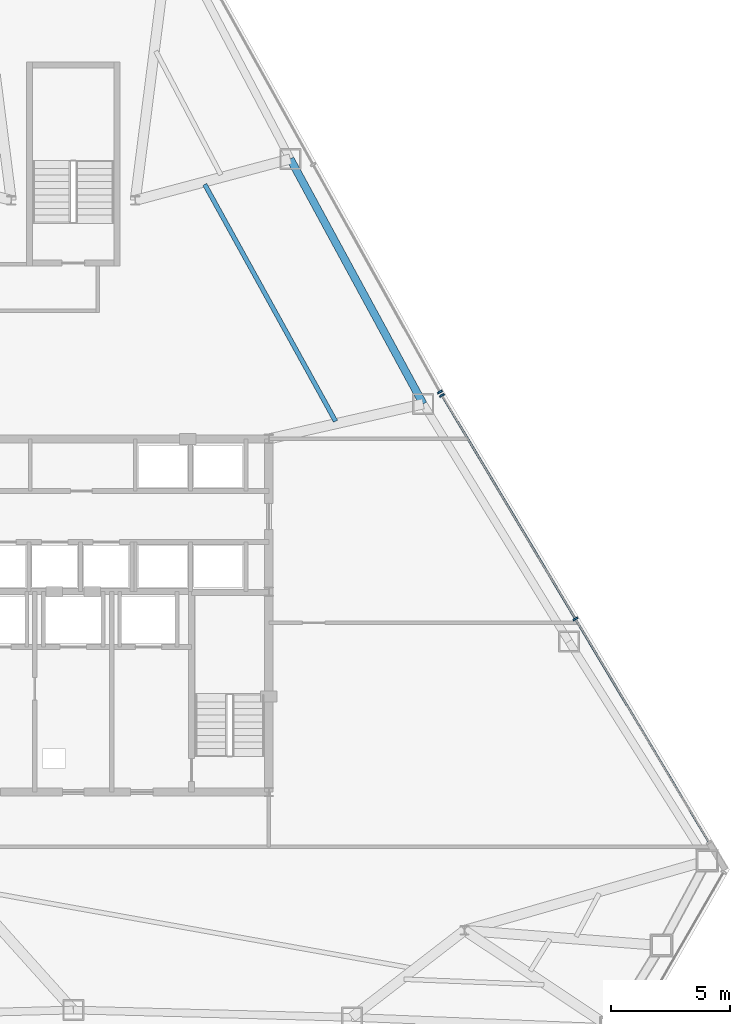
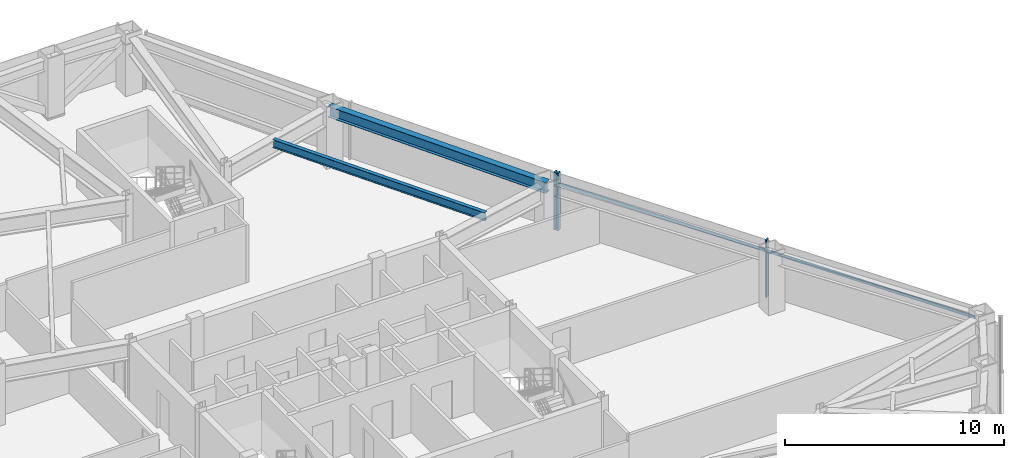
# One storey, part 7 of 13: 4 members, 2 beams, 2 elements without a shape of their own.
"""IFC4 building model written with IfcOpenShell, lengths in metres."""

from ifc_helpers import new_model, si_unit, direction, frame, origin, origin_2d, place, context, subcontext, project, spatial, rectangle, i_section, extrude, source, transform, mapped, material, layer, layer_set, material_profile, profile_set, type_object, type_shapes, element, aggregate, save


model = new_model("IFC4")

# Units and contexts
model_context = context("Model", 3, precision=1e-05, world=origin(), true_north=direction((0.0, 1.0)))
body_context = subcontext(model_context, "Body", "Model", "MODEL_VIEW")
ifc_project = project(units=[si_unit("LENGTHUNIT", "METRE"), si_unit("AREAUNIT", "SQUARE_METRE"), si_unit("VOLUMEUNIT", "CUBIC_METRE"), si_unit("PLANEANGLEUNIT", "RADIAN"), si_unit("MASSUNIT", "GRAM", prefix="KILO")], contexts=[model_context])

# Site, building, storey
site_placement = place(None, origin())
site = spatial("IfcSite", under=ifc_project, at=site_placement, CompositionType="ELEMENT")
building_placement = place(site_placement, origin())
building = spatial("IfcBuilding", under=site, at=building_placement, Name="Varakhsha Concourse Tower", CompositionType="ELEMENT")
storey_placement = place(building_placement, frame((0.0, 0.0, 143.60009765625)))
storey = spatial("IfcBuildingStorey", under=building, at=storey_placement, Name="L41", CompositionType="ELEMENT", Elevation=143.60009765625)

# Beams
ifc_material_1 = material(Name="Structural Steel ASTM A992 Grade 50", Category="steel")
ifc_material_profile_1 = material_profile(ifc_material_1, i_section(OverallWidth=0.19091796875, OverallDepth=0.45703125, WebThickness=0.009033203125, FlangeThickness=0.013916015625, at=origin_2d()), Name="W18X50")
ifc_profile_set_1 = profile_set([ifc_material_profile_1], Name="Structural Steel ASTM A992 Grade 50")
beam_type_1 = type_object("IfcBeamType", Name="BM-JST-W18X50", PredefinedType="JOIST", material=ifc_profile_set_1)
beam_1_placement = place(storey_placement, frame((50.99267578125, 31.9423828125, 2.9814453125), z_axis=(-0.483463831389, 0.875364337712, 0.0), x_axis=(-0.875364337712, -0.483463831389, 0.0)))
element("IfcBeam", 1, at=beam_1_placement, inside=storey, type_object=beam_type_1, Name="BM-TJST-L41-17", PredefinedType="JOIST", context=body_context, shape_type="SweptSolid", body=[
    extrude(i_section(OverallWidth=0.19091796875, OverallDepth=0.45703125, WebThickness=0.009033203125, FlangeThickness=0.013916015625, at=origin_2d()), origin(), (0.0, 0.0, 1.0), 11.33740234375),
])
ifc_material_profile_2 = material_profile(ifc_material_1, i_section(OverallWidth=0.323974609375, OverallDepth=0.611083984375, WebThickness=0.012939453125, FlangeThickness=0.01904296875, at=origin_2d()), Name="W24X104")
ifc_profile_set_2 = profile_set([ifc_material_profile_2], Name="Structural Steel ASTM A992 Grade 50")
beam_type_2 = type_object("IfcBeamType", Name="BM-SPAN-W24X104", PredefinedType="SPANDREL", material=ifc_profile_set_2)
beam_2_placement = place(storey_placement, frame((54.66748046875, 32.668212890625, 2.904296875), z_axis=(-0.476994069137, 0.878906512667, 0.0), x_axis=(-0.878906512667, -0.476994069137, 0.0)))
element("IfcBeam", 2, at=beam_2_placement, inside=storey, type_object=beam_type_2, Name="BM-SPAN-L41-17", PredefinedType="SPANDREL", context=body_context, shape_type="SweptSolid", body=[
    extrude(i_section(OverallWidth=0.323974609375, OverallDepth=0.611083984375, WebThickness=0.012939453125, FlangeThickness=0.01904296875, at=origin_2d()), origin(), (0.0, 0.0, 1.0), 11.679931640625),
])

# Curtain wall, members
ifc_material_2 = material(Name="Anodised Bronze Architectural Aluminium AA 6063-T6", Category="aluminium")
ifc_layer = layer(ifc_material_2, 0.2099609375, Name="CW-SYS-04")
ifc_layer_set = layer_set([ifc_layer], Name="Anodised Bronze Architectural Aluminium AA 6063-T6")
curtain_wall_type = type_object("IfcCurtainWallType", Name="CW-SYS-04", PredefinedType="NOTDEFINED", material=ifc_layer_set)
curtain_wall_1_placement = place(storey_placement, origin())
curtain_wall_1 = element("IfcCurtainWall", 3, at=curtain_wall_1_placement, inside=storey, type_object=curtain_wall_type, Name="L41 Crystal Curtain Wall F8", PredefinedType="NOTDEFINED")
ifc_material_profile_3 = material_profile(ifc_material_2, rectangle(XDim=0.074951171875, YDim=0.219970703125, at=origin_2d()), Name="CWM-220X75")
ifc_profile_set_3 = profile_set([ifc_material_profile_3], Name="Anodised Bronze Architectural Aluminium AA 6063-T6")
member_type_1 = type_object("IfcMemberType", Name="CWM-220X75", PredefinedType="MULLION", material=ifc_profile_set_3)
shared_shape_1 = source(origin(), body_context, "Body", "SweptSolid", [
    extrude(rectangle(XDim=0.074951171875, YDim=0.219970703125, at=origin_2d()), origin(), (0.0, 0.0, 1.0), 3.2099609375),
])
type_shapes(member_type_1, [shared_shape_1])
member_1_placement = place(storey_placement, frame((55.44775390625, 33.023681640625, 0.0), z_axis=(0.0, 0.0, 1.0), x_axis=(0.512984034508, -0.858398147913, 0.0)))
member_1 = element("IfcMember", 4, at=member_1_placement, type_object=member_type_1, Name="CW-L41-F8 Mullion 00", PredefinedType="MULLION", context=body_context, shape_type="MappedRepresentation", body=[
    mapped(shared_shape_1, transform((0.0, 0.0, 0.0), scale=1.0)),
])
member_2_placement = place(storey_placement, frame((61.04638671875, 23.655029296875, 0.0), z_axis=(0.0, 0.0, 1.0), x_axis=(0.512984034508, -0.858398147913, 0.0)))
member_2 = element("IfcMember", 5, at=member_2_placement, type_object=member_type_1, Name="CW-L41-F8 Mullion 01", PredefinedType="MULLION", context=body_context, shape_type="MappedRepresentation", body=[
    mapped(shared_shape_1, transform((0.0, 0.0, 0.0), scale=1.0)),
])

# Curtain wall, member
curtain_wall_2_placement = place(storey_placement, origin())
curtain_wall_2 = element("IfcCurtainWall", 6, at=curtain_wall_2_placement, inside=storey, type_object=curtain_wall_type, Name="L41 Crystal Curtain Wall F9", PredefinedType="NOTDEFINED")
member_3_placement = place(storey_placement, frame((55.365234375, 33.166259765625, 0.0), z_axis=(0.0, 0.0, 1.0), x_axis=(0.48689953646, -0.873457979181, 0.0)))
member_3 = element("IfcMember", 7, at=member_3_placement, type_object=member_type_1, Name="CW-L41-F9 Mullion 02", PredefinedType="MULLION", context=body_context, shape_type="MappedRepresentation", body=[
    mapped(shared_shape_1, transform((0.0, 0.0, 0.0), scale=1.0)),
])
aggregate(curtain_wall_2, [member_3])

# Member
ifc_material_profile_4 = material_profile(ifc_material_2, rectangle(XDim=0.06494140625, YDim=0.159912109375, at=origin_2d()), Name="CWT-160X65")
ifc_profile_set_4 = profile_set([ifc_material_profile_4], Name="Anodised Bronze Architectural Aluminium AA 6063-T6")
member_type_2 = type_object("IfcMemberType", Name="CWT-160X65", PredefinedType="USERDEFINED", material=ifc_profile_set_4)
shared_shape_2 = source(origin(), body_context, "Body", "SweptSolid", [
    extrude(rectangle(XDim=0.06494140625, YDim=0.159912109375, at=origin_2d()), origin(), (0.0, 0.0, 1.0), 21.827880859375),
])
type_shapes(member_type_2, [shared_shape_2])
member_4_placement = place(storey_placement, frame((55.44775390625, 33.023681640625, 2.559814453125), z_axis=(0.512980068893, -0.858400517776, 0.0), x_axis=(0.858400517776, 0.512980068893, 0.0)))
member_4 = element("IfcMember", 8, at=member_4_placement, type_object=member_type_2, Name="CW-L41-F8 Transom 01", ObjectType="TRANSOM", PredefinedType="USERDEFINED", context=body_context, shape_type="MappedRepresentation", body=[
    mapped(shared_shape_2, transform((0.0, 0.0, 0.0), scale=1.0)),
])

aggregate(curtain_wall_1, [member_1, member_2, member_4])

save(model, "model.ifc")
